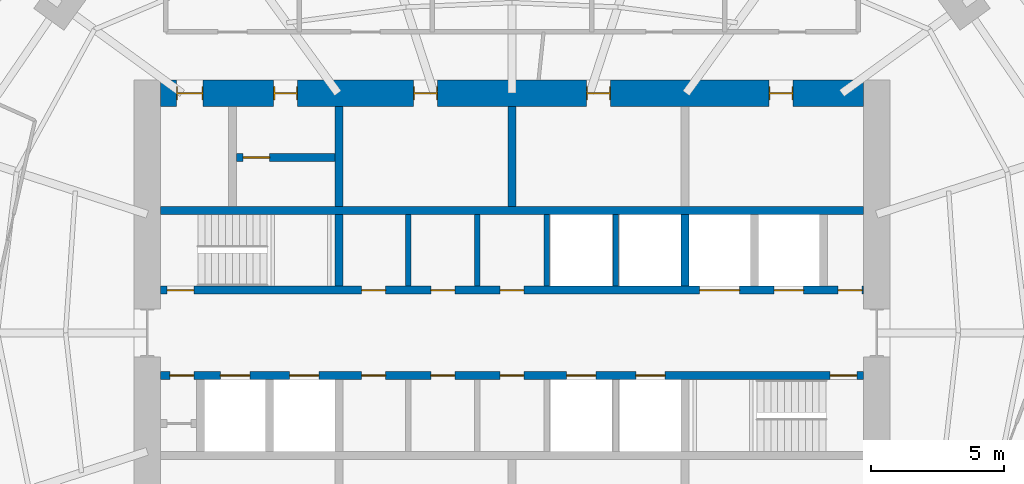
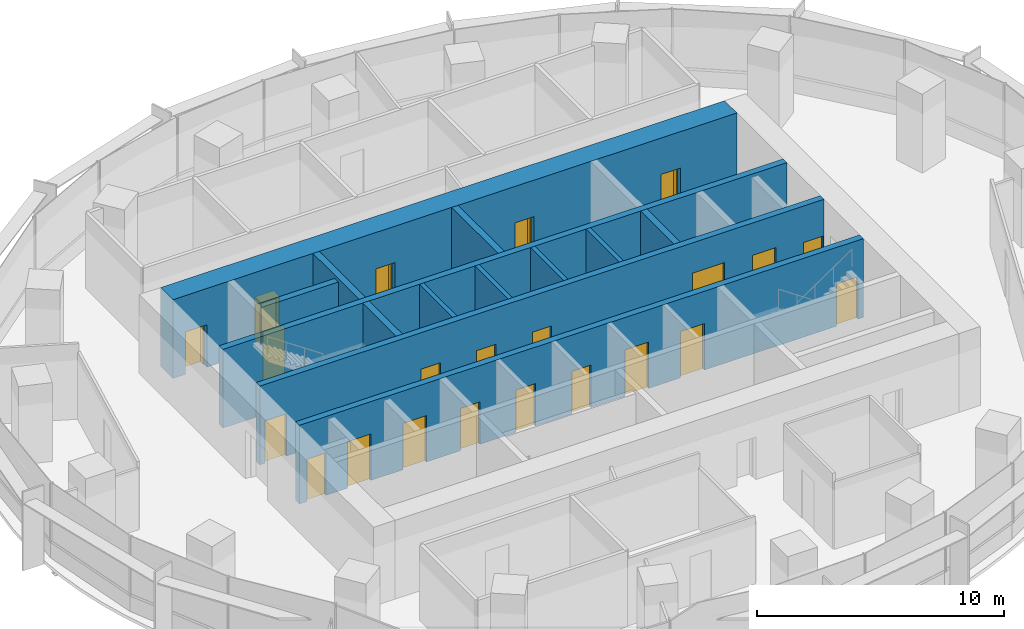
# One storey, part 11 of 14: 22 doors, 13 walls, 22 openings.
"""IFC4 building model written with IfcOpenShell, lengths in metres."""

from ifc_helpers import new_model, si_unit, direction, frame, frame_2d, origin, place, context, subcontext, project, spatial, rectangle, extrude, material, layer, layer_set, type_object, element, fill, save


model = new_model("IFC4")

# Units and contexts
model_context = context("Model", 3, precision=1e-05, world=origin(), true_north=direction((0.0, 1.0)))
body_context = subcontext(model_context, "Body", "Model", "MODEL_VIEW")
ifc_project = project(units=[si_unit("LENGTHUNIT", "METRE"), si_unit("AREAUNIT", "SQUARE_METRE"), si_unit("VOLUMEUNIT", "CUBIC_METRE"), si_unit("PLANEANGLEUNIT", "RADIAN"), si_unit("MASSUNIT", "GRAM", prefix="KILO")], contexts=[model_context])

# Site, building, storey
site_placement = place(None, origin())
site = spatial("IfcSite", under=ifc_project, at=site_placement, CompositionType="ELEMENT")
building_placement = place(site_placement, origin())
building = spatial("IfcBuilding", under=site, at=building_placement, Name="Marramba Exchange Tower", CompositionType="ELEMENT")
storey_placement = place(building_placement, frame((0.0, 0.0, 234.5)))
storey = spatial("IfcBuildingStorey", under=building, at=storey_placement, Name="L57", CompositionType="ELEMENT", Elevation=234.5)

# Walls
ifc_material_1 = material(Name="Concrete N50", Category="concrete")
ifc_layer_1 = layer(ifc_material_1, 0.199951171875)
ifc_layer_set_1 = layer_set([ifc_layer_1], Name="Core shaft wall 200")
wall_type_1 = type_object("IfcWallType", Name="Core shaft wall 200", PredefinedType="SHEAR", material=ifc_layer_set_1)
for number, where, z_axis, x_axis, name in (
    (1, (-3.89990234375, 1.75, 0.0), (0.0, 0.0, 1.0), (0.0, 1.0, 0.0), "Core wall SHN1 L57"),
    (2, (-1.300048828125, 1.75, 0.0), (0.0, 0.0, 1.0), (0.0, 1.0, 0.0), "Core wall SHN2 L57"),
    (3, (1.300048828125, 1.75, 0.0), (0.0, 0.0, 1.0), (0.0, 1.0, 0.0), "Core wall SHN3 L57"),
    (4, (3.89990234375, 1.75, 0.0), (0.0, 0.0, 1.0), (0.0, 1.0, 0.0), "Core wall SHN4 L57"),
):
    element("IfcWall", number, at=place(storey_placement, frame(where, z_axis=z_axis, x_axis=x_axis)), inside=storey, type_object=wall_type_1, Name=name, PredefinedType="SHEAR", context=body_context, shape_type="SweptSolid", body=[
        extrude(rectangle(XDim=2.699951171875, YDim=0.199951171875, at=frame_2d((1.35009765625, 0.0))), origin(), (0.0, 0.0, 1.0), 3.89990234375),
    ])

# Wall, openings, doors
ifc_layer_2 = layer(ifc_material_1, 1.0)
ifc_layer_set_2 = layer_set([ifc_layer_2], Name="Core wall 1000")
wall_type_2 = type_object("IfcWallType", Name="Core wall 1000", PredefinedType="SHEAR", material=ifc_layer_set_2)
wall_1_placement = place(storey_placement, frame((13.199951171875, 9.0, 0.0), z_axis=(0.0, 0.0, 1.0), x_axis=(-1.0, 0.0, 0.0)))
wall_1 = element("IfcWall", 5, at=wall_1_placement, inside=storey, type_object=wall_type_2, Name="Core wall N L57", PredefinedType="SHEAR", context=body_context, shape_type="SweptSolid", body=[
    extrude(rectangle(XDim=26.39990234375, YDim=1.0, at=frame_2d((13.199951171875, 0.0))), origin(), (0.0, 0.0, 1.0), 3.89990234375),
])
opening_1_placement = place(wall_1_placement, frame((2.64990234375, 0.0, 0.0)))
opening_1 = element("IfcOpeningElement", 6, at=opening_1_placement, cuts=wall_1, Name="Opening D5", PredefinedType="OPENING", context=body_context, shape_type="SweptSolid", body=[
    extrude(rectangle(XDim=0.89990234375, YDim=2.10009765625, at=frame_2d((0.449951171875, 1.050048828125))), frame((0.0, 0.510009765625, 0.0), z_axis=(0.0, -1.0, 0.0), x_axis=(1.0, 0.0, 0.0)), (0.0, 0.0, 1.0), 1.02001953125),
])
opening_2_placement = place(wall_1_placement, frame((9.5, 0.0, 0.0)))
opening_2 = element("IfcOpeningElement", 7, at=opening_2_placement, cuts=wall_1, Name="Opening D3", PredefinedType="OPENING", context=body_context, shape_type="SweptSolid", body=[
    extrude(rectangle(XDim=0.89990234375, YDim=2.10009765625, at=frame_2d((0.449951171875, 1.050048828125))), frame((0.0, 0.510009765625, 0.0), z_axis=(0.0, -1.0, 0.0), x_axis=(1.0, 0.0, 0.0)), (0.0, 0.0, 1.0), 1.02001953125),
])
opening_3_placement = place(wall_1_placement, frame((16.0, 0.0, 0.0)))
opening_3 = element("IfcOpeningElement", 8, at=opening_3_placement, cuts=wall_1, Name="Opening D3", PredefinedType="OPENING", context=body_context, shape_type="SweptSolid", body=[
    extrude(rectangle(XDim=0.89990234375, YDim=2.10009765625, at=frame_2d((0.449951171875, 1.050048828125))), frame((0.0, 0.510009765625, 0.0), z_axis=(0.0, -1.0, 0.0), x_axis=(1.0, 0.0, 0.0)), (0.0, 0.0, 1.0), 1.02001953125),
])
opening_4_placement = place(wall_1_placement, frame((21.25, 0.0, 0.0)))
opening_4 = element("IfcOpeningElement", 9, at=opening_4_placement, cuts=wall_1, Name="Opening D5", PredefinedType="OPENING", context=body_context, shape_type="SweptSolid", body=[
    extrude(rectangle(XDim=0.89990234375, YDim=2.10009765625, at=frame_2d((0.449951171875, 1.050048828125))), frame((0.0, 0.510009765625, 0.0), z_axis=(0.0, -1.0, 0.0), x_axis=(1.0, 0.0, 0.0)), (0.0, 0.0, 1.0), 1.02001953125),
])
opening_5_placement = place(wall_1_placement, frame((24.800048828125, 0.0, 0.0)))
opening_5 = element("IfcOpeningElement", 10, at=opening_5_placement, cuts=wall_1, Name="Opening D4", PredefinedType="OPENING", context=body_context, shape_type="SweptSolid", body=[
    extrude(rectangle(XDim=1.0, YDim=2.10009765625, at=frame_2d((0.5, 1.050048828125))), frame((0.0, 0.510009765625, 0.0), z_axis=(0.0, -1.0, 0.0), x_axis=(1.0, 0.0, 0.0)), (0.0, 0.0, 1.0), 1.02001953125),
])
ifc_material_2 = material(Name="Steel-framed door", Category="steel")
door_type_1 = type_object("IfcDoorType", Name="Accessible toilet door 1000x2100", OperationType="SINGLE_SWING_LEFT", PredefinedType="DOOR", material=ifc_material_2)
door_1_placement = place(opening_5_placement, origin())
door_1 = element("IfcDoor", 11, at=door_1_placement, inside=storey, type_object=door_type_1, Name="D4 awc L57", OperationType="SINGLE_SWING_RIGHT", OverallHeight=2.10009765625, OverallWidth=1.0, PredefinedType="DOOR", context=body_context, shape_type="SweptSolid", body=[
    extrude(rectangle(XDim=0.919921875, YDim=2.06005859375, at=frame_2d((0.5, 1.030029296875))), frame((0.0, 0.02490234375, 0.0), z_axis=(0.0, -1.0, 0.0), x_axis=(1.0, 0.0, 0.0)), (0.0, 0.0, 1.0), 0.050048828125),
    extrude(rectangle(XDim=0.04, YDim=2.10009765625, at=frame_2d((0.02001953125, 1.050048828125))), frame((0.0, 0.25, 0.0), z_axis=(0.0, -1.0, 0.0), x_axis=(1.0, 0.0, 0.0)), (0.0, 0.0, 1.0), 0.5),
    extrude(rectangle(XDim=0.04, YDim=2.10009765625, at=frame_2d((0.97998046875, 1.050048828125))), frame((0.0, 0.25, 0.0), z_axis=(0.0, -1.0, 0.0), x_axis=(1.0, 0.0, 0.0)), (0.0, 0.0, 1.0), 0.5),
    extrude(rectangle(XDim=0.919921875, YDim=0.04, at=frame_2d((0.5, 2.080078125))), frame((0.0, 0.25, 0.0), z_axis=(0.0, -1.0, 0.0), x_axis=(1.0, 0.0, 0.0)), (0.0, 0.0, 1.0), 0.5),
])
fill(opening_5, door_1)
door_type_2 = type_object("IfcDoorType", Name="Service door 900x2100", OperationType="SINGLE_SWING_LEFT", PredefinedType="DOOR", material=ifc_material_2)
door_2_placement = place(opening_1_placement, origin())
door_2 = element("IfcDoor", 12, at=door_2_placement, inside=storey, type_object=door_type_2, Name="D5 comms L57", OperationType="SINGLE_SWING_LEFT", OverallHeight=2.10009765625, OverallWidth=0.89990234375, PredefinedType="DOOR", context=body_context, shape_type="SweptSolid", body=[
    extrude(rectangle(XDim=0.81982421875, YDim=2.06005859375, at=frame_2d((0.449951171875, 1.030029296875))), frame((0.0, 0.02490234375, 0.0), z_axis=(0.0, -1.0, 0.0), x_axis=(1.0, 0.0, 0.0)), (0.0, 0.0, 1.0), 0.050048828125),
    extrude(rectangle(XDim=0.04, YDim=2.10009765625, at=frame_2d((0.02001953125, 1.050048828125))), frame((0.0, 0.25, 0.0), z_axis=(0.0, -1.0, 0.0), x_axis=(1.0, 0.0, 0.0)), (0.0, 0.0, 1.0), 0.5),
    extrude(rectangle(XDim=0.04, YDim=2.10009765625, at=frame_2d((0.8798828125, 1.050048828125))), frame((0.0, 0.25, 0.0), z_axis=(0.0, -1.0, 0.0), x_axis=(1.0, 0.0, 0.0)), (0.0, 0.0, 1.0), 0.5),
    extrude(rectangle(XDim=0.81982421875, YDim=0.04, at=frame_2d((0.449951171875, 2.080078125))), frame((0.0, 0.25, 0.0), z_axis=(0.0, -1.0, 0.0), x_axis=(1.0, 0.0, 0.0)), (0.0, 0.0, 1.0), 0.5),
])
fill(opening_1, door_2)
door_3_placement = place(opening_4_placement, origin())
door_3 = element("IfcDoor", 13, at=door_3_placement, inside=storey, type_object=door_type_2, Name="D5 cleaner L57", OperationType="SINGLE_SWING_RIGHT", OverallHeight=2.10009765625, OverallWidth=0.89990234375, PredefinedType="DOOR", context=body_context, shape_type="SweptSolid", body=[
    extrude(rectangle(XDim=0.81982421875, YDim=2.06005859375, at=frame_2d((0.449951171875, 1.030029296875))), frame((0.0, 0.02490234375, 0.0), z_axis=(0.0, -1.0, 0.0), x_axis=(1.0, 0.0, 0.0)), (0.0, 0.0, 1.0), 0.050048828125),
    extrude(rectangle(XDim=0.04, YDim=2.10009765625, at=frame_2d((0.02001953125, 1.050048828125))), frame((0.0, 0.25, 0.0), z_axis=(0.0, -1.0, 0.0), x_axis=(1.0, 0.0, 0.0)), (0.0, 0.0, 1.0), 0.5),
    extrude(rectangle(XDim=0.04, YDim=2.10009765625, at=frame_2d((0.8798828125, 1.050048828125))), frame((0.0, 0.25, 0.0), z_axis=(0.0, -1.0, 0.0), x_axis=(1.0, 0.0, 0.0)), (0.0, 0.0, 1.0), 0.5),
    extrude(rectangle(XDim=0.81982421875, YDim=0.04, at=frame_2d((0.449951171875, 2.080078125))), frame((0.0, 0.25, 0.0), z_axis=(0.0, -1.0, 0.0), x_axis=(1.0, 0.0, 0.0)), (0.0, 0.0, 1.0), 0.5),
])
fill(opening_4, door_3)
door_type_3 = type_object("IfcDoorType", Name="Toilet door 900x2100", OperationType="SINGLE_SWING_LEFT", PredefinedType="DOOR", material=ifc_material_2)
door_4_placement = place(opening_2_placement, origin())
door_4 = element("IfcDoor", 14, at=door_4_placement, inside=storey, type_object=door_type_3, Name="D3 wc-f L57", OperationType="SINGLE_SWING_RIGHT", OverallHeight=2.10009765625, OverallWidth=0.89990234375, PredefinedType="DOOR", context=body_context, shape_type="SweptSolid", body=[
    extrude(rectangle(XDim=0.81982421875, YDim=2.06005859375, at=frame_2d((0.449951171875, 1.030029296875))), frame((0.0, 0.02490234375, 0.0), z_axis=(0.0, -1.0, 0.0), x_axis=(1.0, 0.0, 0.0)), (0.0, 0.0, 1.0), 0.050048828125),
    extrude(rectangle(XDim=0.04, YDim=2.10009765625, at=frame_2d((0.02001953125, 1.050048828125))), frame((0.0, 0.25, 0.0), z_axis=(0.0, -1.0, 0.0), x_axis=(1.0, 0.0, 0.0)), (0.0, 0.0, 1.0), 0.5),
    extrude(rectangle(XDim=0.04, YDim=2.10009765625, at=frame_2d((0.8798828125, 1.050048828125))), frame((0.0, 0.25, 0.0), z_axis=(0.0, -1.0, 0.0), x_axis=(1.0, 0.0, 0.0)), (0.0, 0.0, 1.0), 0.5),
    extrude(rectangle(XDim=0.81982421875, YDim=0.04, at=frame_2d((0.449951171875, 2.080078125))), frame((0.0, 0.25, 0.0), z_axis=(0.0, -1.0, 0.0), x_axis=(1.0, 0.0, 0.0)), (0.0, 0.0, 1.0), 0.5),
])
fill(opening_2, door_4)
door_5_placement = place(opening_3_placement, origin())
door_5 = element("IfcDoor", 15, at=door_5_placement, inside=storey, type_object=door_type_3, Name="D3 wc-m L57", OperationType="SINGLE_SWING_RIGHT", OverallHeight=2.10009765625, OverallWidth=0.89990234375, PredefinedType="DOOR", context=body_context, shape_type="SweptSolid", body=[
    extrude(rectangle(XDim=0.81982421875, YDim=2.06005859375, at=frame_2d((0.449951171875, 1.030029296875))), frame((0.0, 0.02490234375, 0.0), z_axis=(0.0, -1.0, 0.0), x_axis=(1.0, 0.0, 0.0)), (0.0, 0.0, 1.0), 0.050048828125),
    extrude(rectangle(XDim=0.04, YDim=2.10009765625, at=frame_2d((0.02001953125, 1.050048828125))), frame((0.0, 0.25, 0.0), z_axis=(0.0, -1.0, 0.0), x_axis=(1.0, 0.0, 0.0)), (0.0, 0.0, 1.0), 0.5),
    extrude(rectangle(XDim=0.04, YDim=2.10009765625, at=frame_2d((0.8798828125, 1.050048828125))), frame((0.0, 0.25, 0.0), z_axis=(0.0, -1.0, 0.0), x_axis=(1.0, 0.0, 0.0)), (0.0, 0.0, 1.0), 0.5),
    extrude(rectangle(XDim=0.81982421875, YDim=0.04, at=frame_2d((0.449951171875, 2.080078125))), frame((0.0, 0.25, 0.0), z_axis=(0.0, -1.0, 0.0), x_axis=(1.0, 0.0, 0.0)), (0.0, 0.0, 1.0), 0.5),
])
fill(opening_3, door_5)

ifc_layer_3 = layer(ifc_material_1, 0.300048828125)
ifc_layer_set_3 = layer_set([ifc_layer_3], Name="Core wall 300")
wall_type_3 = type_object("IfcWallType", Name="Core wall 300", PredefinedType="SHEAR", material=ifc_layer_set_3)
wall_2_placement = place(storey_placement, frame((-13.199951171875, 1.60009765625, 0.0), z_axis=(0.0, 0.0, 1.0), x_axis=(1.0, 0.0, 0.0)))
wall_2 = element("IfcWall", 16, at=wall_2_placement, inside=storey, type_object=wall_type_3, Name="Core wall LN L57", PredefinedType="SHEAR", context=body_context, shape_type="SweptSolid", body=[
    extrude(rectangle(XDim=26.39990234375, YDim=0.300048828125, at=frame_2d((13.199951171875, 0.0))), origin(), (0.0, 0.0, 1.0), 3.89990234375),
])
opening_6_placement = place(wall_2_placement, frame((0.25, 0.0, 0.0)))
opening_6 = element("IfcOpeningElement", 17, at=opening_6_placement, cuts=wall_2, Name="Opening D2", PredefinedType="OPENING", context=body_context, shape_type="SweptSolid", body=[
    extrude(rectangle(XDim=1.0, YDim=2.10009765625, at=frame_2d((0.5, 1.050048828125))), frame((0.0, 0.159912109375, 0.0), z_axis=(0.0, -1.0, 0.0), x_axis=(1.0, 0.0, 0.0)), (0.0, 0.0, 1.0), 0.320068359375),
])
opening_7_placement = place(wall_2_placement, frame((23.050048828125, 0.0, 0.0)))
opening_7 = element("IfcOpeningElement", 18, at=opening_7_placement, cuts=wall_2, Name="Opening LD1", PredefinedType="OPENING", context=body_context, shape_type="SweptSolid", body=[
    extrude(rectangle(XDim=1.10009765625, YDim=2.300048828125, at=frame_2d((0.550048828125, 1.14990234375))), frame((0.0, 0.159912109375, 0.0), z_axis=(0.0, -1.0, 0.0), x_axis=(1.0, 0.0, 0.0)), (0.0, 0.0, 1.0), 0.320068359375),
])
opening_8_placement = place(wall_2_placement, frame((20.25, 0.0, 0.0)))
opening_8 = element("IfcOpeningElement", 19, at=opening_8_placement, cuts=wall_2, Name="Opening LD3", PredefinedType="OPENING", context=body_context, shape_type="SweptSolid", body=[
    extrude(rectangle(XDim=1.5, YDim=2.39990234375, at=frame_2d((0.75, 1.199951171875))), frame((0.0, 0.159912109375, 0.0), z_axis=(0.0, -1.0, 0.0), x_axis=(1.0, 0.0, 0.0)), (0.0, 0.0, 1.0), 0.320068359375),
])
opening_9_placement = place(wall_2_placement, frame((7.550048828125, 0.0, 0.0)))
opening_9 = element("IfcOpeningElement", 20, at=opening_9_placement, cuts=wall_2, Name="Opening D5", PredefinedType="OPENING", context=body_context, shape_type="SweptSolid", body=[
    extrude(rectangle(XDim=0.89990234375, YDim=2.10009765625, at=frame_2d((0.449951171875, 1.050048828125))), frame((0.0, 0.159912109375, 0.0), z_axis=(0.0, -1.0, 0.0), x_axis=(1.0, 0.0, 0.0)), (0.0, 0.0, 1.0), 0.320068359375),
])
opening_10_placement = place(wall_2_placement, frame((10.14990234375, 0.0, 0.0)))
opening_10 = element("IfcOpeningElement", 21, at=opening_10_placement, cuts=wall_2, Name="Opening D5", PredefinedType="OPENING", context=body_context, shape_type="SweptSolid", body=[
    extrude(rectangle(XDim=0.89990234375, YDim=2.10009765625, at=frame_2d((0.449951171875, 1.050048828125))), frame((0.0, 0.159912109375, 0.0), z_axis=(0.0, -1.0, 0.0), x_axis=(1.0, 0.0, 0.0)), (0.0, 0.0, 1.0), 0.320068359375),
])
opening_11_placement = place(wall_2_placement, frame((12.75, 0.0, 0.0)))
opening_11 = element("IfcOpeningElement", 22, at=opening_11_placement, cuts=wall_2, Name="Opening D5", PredefinedType="OPENING", context=body_context, shape_type="SweptSolid", body=[
    extrude(rectangle(XDim=0.89990234375, YDim=2.10009765625, at=frame_2d((0.449951171875, 1.050048828125))), frame((0.0, 0.159912109375, 0.0), z_axis=(0.0, -1.0, 0.0), x_axis=(1.0, 0.0, 0.0)), (0.0, 0.0, 1.0), 0.320068359375),
])
opening_12_placement = place(wall_2_placement, frame((25.449951171875, 0.0, 0.0)))
opening_12 = element("IfcOpeningElement", 23, at=opening_12_placement, cuts=wall_2, Name="Opening D5", PredefinedType="OPENING", context=body_context, shape_type="SweptSolid", body=[
    extrude(rectangle(XDim=0.89990234375, YDim=2.10009765625, at=frame_2d((0.449951171875, 1.050048828125))), frame((0.0, 0.159912109375, 0.0), z_axis=(0.0, -1.0, 0.0), x_axis=(1.0, 0.0, 0.0)), (0.0, 0.0, 1.0), 0.320068359375),
])
door_type_4 = type_object("IfcDoorType", Name="Goods lift landing door 1500x2400", OperationType="SLIDING_TO_LEFT", PredefinedType="DOOR", material=ifc_material_2)
door_6_placement = place(opening_8_placement, origin())
door_6 = element("IfcDoor", 24, at=door_6_placement, inside=storey, type_object=door_type_4, Name="GL1 landing door L57", OperationType="SLIDING_TO_LEFT", OverallHeight=2.39990234375, OverallWidth=1.5, PredefinedType="DOOR", context=body_context, shape_type="SweptSolid", body=[
    extrude(rectangle(XDim=1.5, YDim=2.39990234375, at=frame_2d((0.75, 1.199951171875))), frame((0.0, 0.02490234375, 0.0), z_axis=(0.0, -1.0, 0.0), x_axis=(1.0, 0.0, 0.0)), (0.0, 0.0, 1.0), 0.050048828125),
])
fill(opening_8, door_6)
door_type_5 = type_object("IfcDoorType", Name="Lift landing door 1100x2300", OperationType="SLIDING_TO_LEFT", PredefinedType="DOOR", material=ifc_material_2)
door_7_placement = place(opening_7_placement, origin())
door_7 = element("IfcDoor", 25, at=door_7_placement, inside=storey, type_object=door_type_5, Name="LC3 landing door L57", OperationType="SLIDING_TO_LEFT", OverallHeight=2.300048828125, OverallWidth=1.10009765625, PredefinedType="DOOR", context=body_context, shape_type="SweptSolid", body=[
    extrude(rectangle(XDim=1.10009765625, YDim=2.300048828125, at=frame_2d((0.550048828125, 1.14990234375))), frame((0.0, 0.02490234375, 0.0), z_axis=(0.0, -1.0, 0.0), x_axis=(1.0, 0.0, 0.0)), (0.0, 0.0, 1.0), 0.050048828125),
])
fill(opening_7, door_7)
door_8_placement = place(opening_9_placement, origin())
door_8 = element("IfcDoor", 26, at=door_8_placement, inside=storey, type_object=door_type_2, Name="D5 stationery store L57", OperationType="SINGLE_SWING_RIGHT", OverallHeight=2.10009765625, OverallWidth=0.89990234375, PredefinedType="DOOR", context=body_context, shape_type="SweptSolid", body=[
    extrude(rectangle(XDim=0.89990234375, YDim=2.10009765625, at=frame_2d((0.449951171875, 1.050048828125))), frame((0.0, 0.02490234375, 0.0), z_axis=(0.0, -1.0, 0.0), x_axis=(1.0, 0.0, 0.0)), (0.0, 0.0, 1.0), 0.050048828125),
])
fill(opening_9, door_8)
door_9_placement = place(opening_10_placement, origin())
door_9 = element("IfcDoor", 27, at=door_9_placement, inside=storey, type_object=door_type_2, Name="D5 switch room L57", OperationType="SINGLE_SWING_RIGHT", OverallHeight=2.10009765625, OverallWidth=0.89990234375, PredefinedType="DOOR", context=body_context, shape_type="SweptSolid", body=[
    extrude(rectangle(XDim=0.89990234375, YDim=2.10009765625, at=frame_2d((0.449951171875, 1.050048828125))), frame((0.0, 0.02490234375, 0.0), z_axis=(0.0, -1.0, 0.0), x_axis=(1.0, 0.0, 0.0)), (0.0, 0.0, 1.0), 0.050048828125),
])
fill(opening_10, door_9)
door_10_placement = place(opening_11_placement, origin())
door_10 = element("IfcDoor", 28, at=door_10_placement, inside=storey, type_object=door_type_2, Name="D5 cleaner store L57", OperationType="SINGLE_SWING_RIGHT", OverallHeight=2.10009765625, OverallWidth=0.89990234375, PredefinedType="DOOR", context=body_context, shape_type="SweptSolid", body=[
    extrude(rectangle(XDim=0.89990234375, YDim=2.10009765625, at=frame_2d((0.449951171875, 1.050048828125))), frame((0.0, 0.02490234375, 0.0), z_axis=(0.0, -1.0, 0.0), x_axis=(1.0, 0.0, 0.0)), (0.0, 0.0, 1.0), 0.050048828125),
])
fill(opening_11, door_10)
door_11_placement = place(opening_12_placement, origin())
door_11 = element("IfcDoor", 29, at=door_11_placement, inside=storey, type_object=door_type_2, Name="D5 riser L57", OperationType="SINGLE_SWING_RIGHT", OverallHeight=2.10009765625, OverallWidth=0.89990234375, PredefinedType="DOOR", context=body_context, shape_type="SweptSolid", body=[
    extrude(rectangle(XDim=0.89990234375, YDim=2.10009765625, at=frame_2d((0.449951171875, 1.050048828125))), frame((0.0, 0.02490234375, 0.0), z_axis=(0.0, -1.0, 0.0), x_axis=(1.0, 0.0, 0.0)), (0.0, 0.0, 1.0), 0.050048828125),
])
fill(opening_12, door_11)
door_type_6 = type_object("IfcDoorType", Name="Stair door 1000x2100", OperationType="SINGLE_SWING_LEFT", PredefinedType="DOOR", material=ifc_material_2)
door_12_placement = place(opening_6_placement, origin())
door_12 = element("IfcDoor", 30, at=door_12_placement, inside=storey, type_object=door_type_6, Name="D2 stair ST1 L57", OperationType="SINGLE_SWING_LEFT", OverallHeight=2.10009765625, OverallWidth=1.0, PredefinedType="DOOR", context=body_context, shape_type="SweptSolid", body=[
    extrude(rectangle(XDim=1.0, YDim=2.10009765625, at=frame_2d((0.5, 1.050048828125))), frame((0.0, 0.02490234375, 0.0), z_axis=(0.0, -1.0, 0.0), x_axis=(1.0, 0.0, 0.0)), (0.0, 0.0, 1.0), 0.050048828125),
])
fill(opening_6, door_12)

wall_3_placement = place(storey_placement, frame((-13.199951171875, -1.60009765625, 0.0), z_axis=(0.0, 0.0, 1.0), x_axis=(1.0, 0.0, 0.0)))
wall_3 = element("IfcWall", 31, at=wall_3_placement, inside=storey, type_object=wall_type_3, Name="Core wall LS L57", PredefinedType="SHEAR", context=body_context, shape_type="SweptSolid", body=[
    extrude(rectangle(XDim=26.39990234375, YDim=0.300048828125, at=frame_2d((13.199951171875, 0.0))), origin(), (0.0, 0.0, 1.0), 3.89990234375),
])
opening_13_placement = place(wall_3_placement, frame((25.14990234375, 0.0, 0.0)))
opening_13 = element("IfcOpeningElement", 32, at=opening_13_placement, cuts=wall_3, Name="Opening D2", PredefinedType="OPENING", context=body_context, shape_type="SweptSolid", body=[
    extrude(rectangle(XDim=1.0, YDim=2.10009765625, at=frame_2d((0.5, 1.050048828125))), frame((0.0, 0.159912109375, 0.0), z_axis=(0.0, -1.0, 0.0), x_axis=(1.0, 0.0, 0.0)), (0.0, 0.0, 1.0), 0.320068359375),
])
opening_14_placement = place(wall_3_placement, frame((7.550048828125, 0.0, 0.0)))
opening_14 = element("IfcOpeningElement", 33, at=opening_14_placement, cuts=wall_3, Name="Opening D5", PredefinedType="OPENING", context=body_context, shape_type="SweptSolid", body=[
    extrude(rectangle(XDim=0.89990234375, YDim=2.10009765625, at=frame_2d((0.449951171875, 1.050048828125))), frame((0.0, 0.159912109375, 0.0), z_axis=(0.0, -1.0, 0.0), x_axis=(1.0, 0.0, 0.0)), (0.0, 0.0, 1.0), 0.320068359375),
])
opening_15_placement = place(wall_3_placement, frame((10.14990234375, 0.0, 0.0)))
opening_15 = element("IfcOpeningElement", 34, at=opening_15_placement, cuts=wall_3, Name="Opening D5", PredefinedType="OPENING", context=body_context, shape_type="SweptSolid", body=[
    extrude(rectangle(XDim=0.89990234375, YDim=2.10009765625, at=frame_2d((0.449951171875, 1.050048828125))), frame((0.0, 0.159912109375, 0.0), z_axis=(0.0, -1.0, 0.0), x_axis=(1.0, 0.0, 0.0)), (0.0, 0.0, 1.0), 0.320068359375),
])
opening_16_placement = place(wall_3_placement, frame((12.75, 0.0, 0.0)))
opening_16 = element("IfcOpeningElement", 35, at=opening_16_placement, cuts=wall_3, Name="Opening D3", PredefinedType="OPENING", context=body_context, shape_type="SweptSolid", body=[
    extrude(rectangle(XDim=0.89990234375, YDim=2.10009765625, at=frame_2d((0.449951171875, 1.050048828125))), frame((0.0, 0.159912109375, 0.0), z_axis=(0.0, -1.0, 0.0), x_axis=(1.0, 0.0, 0.0)), (0.0, 0.0, 1.0), 0.320068359375),
])
opening_17_placement = place(wall_3_placement, frame((15.25, 0.0, 0.0)))
opening_17 = element("IfcOpeningElement", 36, at=opening_17_placement, cuts=wall_3, Name="Opening LD2", PredefinedType="OPENING", context=body_context, shape_type="SweptSolid", body=[
    extrude(rectangle(XDim=1.10009765625, YDim=2.300048828125, at=frame_2d((0.550048828125, 1.14990234375))), frame((0.0, 0.159912109375, 0.0), z_axis=(0.0, -1.0, 0.0), x_axis=(1.0, 0.0, 0.0)), (0.0, 0.0, 1.0), 0.320068359375),
])
opening_18_placement = place(wall_3_placement, frame((17.85009765625, 0.0, 0.0)))
opening_18 = element("IfcOpeningElement", 37, at=opening_18_placement, cuts=wall_3, Name="Opening LD2", PredefinedType="OPENING", context=body_context, shape_type="SweptSolid", body=[
    extrude(rectangle(XDim=1.10009765625, YDim=2.300048828125, at=frame_2d((0.550048828125, 1.14990234375))), frame((0.0, 0.159912109375, 0.0), z_axis=(0.0, -1.0, 0.0), x_axis=(1.0, 0.0, 0.0)), (0.0, 0.0, 1.0), 0.320068359375),
])
opening_19_placement = place(wall_3_placement, frame((4.85009765625, 0.0, 0.0)))
opening_19 = element("IfcOpeningElement", 38, at=opening_19_placement, cuts=wall_3, Name="Opening LD1", PredefinedType="OPENING", context=body_context, shape_type="SweptSolid", body=[
    extrude(rectangle(XDim=1.10009765625, YDim=2.300048828125, at=frame_2d((0.550048828125, 1.14990234375))), frame((0.0, 0.159912109375, 0.0), z_axis=(0.0, -1.0, 0.0), x_axis=(1.0, 0.0, 0.0)), (0.0, 0.0, 1.0), 0.320068359375),
])
opening_20_placement = place(wall_3_placement, frame((2.25, 0.0, 0.0)))
opening_20 = element("IfcOpeningElement", 39, at=opening_20_placement, cuts=wall_3, Name="Opening LD1", PredefinedType="OPENING", context=body_context, shape_type="SweptSolid", body=[
    extrude(rectangle(XDim=1.10009765625, YDim=2.300048828125, at=frame_2d((0.550048828125, 1.14990234375))), frame((0.0, 0.159912109375, 0.0), z_axis=(0.0, -1.0, 0.0), x_axis=(1.0, 0.0, 0.0)), (0.0, 0.0, 1.0), 0.320068359375),
])
opening_21_placement = place(wall_3_placement, frame((0.35009765625, 0.0, 0.0)))
opening_21 = element("IfcOpeningElement", 40, at=opening_21_placement, cuts=wall_3, Name="Opening D5", PredefinedType="OPENING", context=body_context, shape_type="SweptSolid", body=[
    extrude(rectangle(XDim=0.89990234375, YDim=2.10009765625, at=frame_2d((0.449951171875, 1.050048828125))), frame((0.0, 0.159912109375, 0.0), z_axis=(0.0, -1.0, 0.0), x_axis=(1.0, 0.0, 0.0)), (0.0, 0.0, 1.0), 0.320068359375),
])
door_type_7 = type_object("IfcDoorType", Name="Emergency lift landing door 1100x2300", OperationType="SLIDING_TO_LEFT", PredefinedType="DOOR", material=ifc_material_2)
door_13_placement = place(opening_17_placement, frame((1.10009765625, 0.0, 0.0), z_axis=(0.0, 0.0, 1.0), x_axis=(-1.0, 0.0, 0.0)))
door_13 = element("IfcDoor", 41, at=door_13_placement, inside=storey, type_object=door_type_7, Name="FL1 landing door L57", OperationType="SLIDING_TO_RIGHT", OverallHeight=2.300048828125, OverallWidth=1.10009765625, PredefinedType="DOOR", context=body_context, shape_type="SweptSolid", body=[
    extrude(rectangle(XDim=1.10009765625, YDim=2.300048828125, at=frame_2d((0.550048828125, 1.14990234375))), frame((0.0, 0.025146484375, 0.0), z_axis=(0.0, -1.0, 0.0), x_axis=(1.0, 0.0, 0.0)), (0.0, 0.0, 1.0), 0.050048828125),
])
fill(opening_17, door_13)
door_14_placement = place(opening_18_placement, frame((1.10009765625, 0.0, 0.0), z_axis=(0.0, 0.0, 1.0), x_axis=(-1.0, 0.0, 0.0)))
door_14 = element("IfcDoor", 42, at=door_14_placement, inside=storey, type_object=door_type_7, Name="FL2 landing door L57", OperationType="SLIDING_TO_LEFT", OverallHeight=2.300048828125, OverallWidth=1.10009765625, PredefinedType="DOOR", context=body_context, shape_type="SweptSolid", body=[
    extrude(rectangle(XDim=1.10009765625, YDim=2.300048828125, at=frame_2d((0.550048828125, 1.14990234375))), frame((0.0, 0.025146484375, 0.0), z_axis=(0.0, -1.0, 0.0), x_axis=(1.0, 0.0, 0.0)), (0.0, 0.0, 1.0), 0.050048828125),
])
fill(opening_18, door_14)
door_15_placement = place(opening_19_placement, frame((1.10009765625, 0.0, 0.0), z_axis=(0.0, 0.0, 1.0), x_axis=(-1.0, 0.0, 0.0)))
door_15 = element("IfcDoor", 43, at=door_15_placement, inside=storey, type_object=door_type_5, Name="LC1 landing door L57", OperationType="SLIDING_TO_LEFT", OverallHeight=2.300048828125, OverallWidth=1.10009765625, PredefinedType="DOOR", context=body_context, shape_type="SweptSolid", body=[
    extrude(rectangle(XDim=1.10009765625, YDim=2.300048828125, at=frame_2d((0.550048828125, 1.14990234375))), frame((0.0, 0.025146484375, 0.0), z_axis=(0.0, -1.0, 0.0), x_axis=(1.0, 0.0, 0.0)), (0.0, 0.0, 1.0), 0.050048828125),
])
fill(opening_19, door_15)
door_16_placement = place(opening_20_placement, frame((1.10009765625, 0.0, 0.0), z_axis=(0.0, 0.0, 1.0), x_axis=(-1.0, 0.0, 0.0)))
door_16 = element("IfcDoor", 44, at=door_16_placement, inside=storey, type_object=door_type_5, Name="LC2 landing door L57", OperationType="SLIDING_TO_LEFT", OverallHeight=2.300048828125, OverallWidth=1.10009765625, PredefinedType="DOOR", context=body_context, shape_type="SweptSolid", body=[
    extrude(rectangle(XDim=1.10009765625, YDim=2.300048828125, at=frame_2d((0.550048828125, 1.14990234375))), frame((0.0, 0.025146484375, 0.0), z_axis=(0.0, -1.0, 0.0), x_axis=(1.0, 0.0, 0.0)), (0.0, 0.0, 1.0), 0.050048828125),
])
fill(opening_20, door_16)
door_17_placement = place(opening_14_placement, frame((0.89990234375, 0.0, 0.0), z_axis=(0.0, 0.0, 1.0), x_axis=(-1.0, 0.0, 0.0)))
door_17 = element("IfcDoor", 45, at=door_17_placement, inside=storey, type_object=door_type_2, Name="D5 general store L57", OperationType="SINGLE_SWING_RIGHT", OverallHeight=2.10009765625, OverallWidth=0.89990234375, PredefinedType="DOOR", context=body_context, shape_type="SweptSolid", body=[
    extrude(rectangle(XDim=0.89990234375, YDim=2.10009765625, at=frame_2d((0.449951171875, 1.050048828125))), frame((0.0, 0.025146484375, 0.0), z_axis=(0.0, -1.0, 0.0), x_axis=(1.0, 0.0, 0.0)), (0.0, 0.0, 1.0), 0.050048828125),
])
fill(opening_14, door_17)
door_18_placement = place(opening_15_placement, frame((0.89990234375, 0.0, 0.0), z_axis=(0.0, 0.0, 1.0), x_axis=(-1.0, 0.0, 0.0)))
door_18 = element("IfcDoor", 46, at=door_18_placement, inside=storey, type_object=door_type_2, Name="D5 store n1 L57", OperationType="SINGLE_SWING_RIGHT", OverallHeight=2.10009765625, OverallWidth=0.89990234375, PredefinedType="DOOR", context=body_context, shape_type="SweptSolid", body=[
    extrude(rectangle(XDim=0.89990234375, YDim=2.10009765625, at=frame_2d((0.449951171875, 1.050048828125))), frame((0.0, 0.025146484375, 0.0), z_axis=(0.0, -1.0, 0.0), x_axis=(1.0, 0.0, 0.0)), (0.0, 0.0, 1.0), 0.050048828125),
])
fill(opening_15, door_18)
door_19_placement = place(opening_21_placement, frame((0.89990234375, 0.0, 0.0), z_axis=(0.0, 0.0, 1.0), x_axis=(-1.0, 0.0, 0.0)))
door_19 = element("IfcDoor", 47, at=door_19_placement, inside=storey, type_object=door_type_2, Name="D5 electrical riser L57", OperationType="SINGLE_SWING_LEFT", OverallHeight=2.10009765625, OverallWidth=0.89990234375, PredefinedType="DOOR", context=body_context, shape_type="SweptSolid", body=[
    extrude(rectangle(XDim=0.89990234375, YDim=2.10009765625, at=frame_2d((0.449951171875, 1.050048828125))), frame((0.0, 0.025146484375, 0.0), z_axis=(0.0, -1.0, 0.0), x_axis=(1.0, 0.0, 0.0)), (0.0, 0.0, 1.0), 0.050048828125),
])
fill(opening_21, door_19)
door_20_placement = place(opening_13_placement, frame((1.0, 0.0, 0.0), z_axis=(0.0, 0.0, 1.0), x_axis=(-1.0, 0.0, 0.0)))
door_20 = element("IfcDoor", 48, at=door_20_placement, inside=storey, type_object=door_type_6, Name="D2 stair ST2 L57", OperationType="SINGLE_SWING_LEFT", OverallHeight=2.10009765625, OverallWidth=1.0, PredefinedType="DOOR", context=body_context, shape_type="SweptSolid", body=[
    extrude(rectangle(XDim=1.0, YDim=2.10009765625, at=frame_2d((0.5, 1.050048828125))), frame((0.0, 0.025146484375, 0.0), z_axis=(0.0, -1.0, 0.0), x_axis=(1.0, 0.0, 0.0)), (0.0, 0.0, 1.0), 0.050048828125),
])
fill(opening_13, door_20)
door_21_placement = place(opening_16_placement, frame((0.89990234375, 0.0, 0.0), z_axis=(0.0, 0.0, 1.0), x_axis=(-1.0, 0.0, 0.0)))
door_21 = element("IfcDoor", 49, at=door_21_placement, inside=storey, type_object=door_type_3, Name="D3 staff wc n2 L57", OperationType="SINGLE_SWING_RIGHT", OverallHeight=2.10009765625, OverallWidth=0.89990234375, PredefinedType="DOOR", context=body_context, shape_type="SweptSolid", body=[
    extrude(rectangle(XDim=0.89990234375, YDim=2.10009765625, at=frame_2d((0.449951171875, 1.050048828125))), frame((0.0, 0.025146484375, 0.0), z_axis=(0.0, -1.0, 0.0), x_axis=(1.0, 0.0, 0.0)), (0.0, 0.0, 1.0), 0.050048828125),
])
fill(opening_16, door_21)

# Walls
wall_4_placement = place(storey_placement, frame((-13.199951171875, 4.60009765625, 0.0), z_axis=(0.0, 0.0, 1.0), x_axis=(1.0, 0.0, 0.0)))
element("IfcWall", 50, at=wall_4_placement, inside=storey, type_object=wall_type_3, Name="Core wall BN L57", PredefinedType="SHEAR", context=body_context, shape_type="SweptSolid", body=[
    extrude(rectangle(XDim=26.39990234375, YDim=0.300048828125, at=frame_2d((13.199951171875, 0.0))), origin(), (0.0, 0.0, 1.0), 3.89990234375),
])
wall_5_placement = place(storey_placement, frame((-6.5, 1.75, 0.0), z_axis=(0.0, 0.0, 1.0), x_axis=(0.0, 1.0, 0.0)))
element("IfcWall", 51, at=wall_5_placement, inside=storey, type_object=wall_type_3, Name="Core wall X0Na L57", PredefinedType="SHEAR", context=body_context, shape_type="SweptSolid", body=[
    extrude(rectangle(XDim=2.699951171875, YDim=0.300048828125, at=frame_2d((1.35009765625, 0.0))), origin(), (0.0, 0.0, 1.0), 3.89990234375),
])
wall_6_placement = place(storey_placement, frame((-6.5, 4.75, 0.0), z_axis=(0.0, 0.0, 1.0), x_axis=(0.0, 1.0, 0.0)))
element("IfcWall", 52, at=wall_6_placement, inside=storey, type_object=wall_type_3, Name="Core wall X0Nb L57", PredefinedType="SHEAR", context=body_context, shape_type="SweptSolid", body=[
    extrude(rectangle(XDim=3.75, YDim=0.300048828125, at=frame_2d((1.875, 0.0))), origin(), (0.0, 0.0, 1.0), 3.89990234375),
])
wall_7_placement = place(storey_placement, frame((6.5, 1.75, 0.0), z_axis=(0.0, 0.0, 1.0), x_axis=(0.0, 1.0, 0.0)))
element("IfcWall", 53, at=wall_7_placement, inside=storey, type_object=wall_type_3, Name="Core wall X1Na L57", PredefinedType="SHEAR", context=body_context, shape_type="SweptSolid", body=[
    extrude(rectangle(XDim=2.699951171875, YDim=0.300048828125, at=frame_2d((1.35009765625, 0.0))), origin(), (0.0, 0.0, 1.0), 3.89990234375),
])
wall_8_placement = place(storey_placement, frame((0.0, 4.75, 0.0), z_axis=(0.0, 0.0, 1.0), x_axis=(0.0, 1.0, 0.0)))
element("IfcWall", 54, at=wall_8_placement, inside=storey, type_object=wall_type_3, Name="Core wall MN L57", PredefinedType="SHEAR", context=body_context, shape_type="SweptSolid", body=[
    extrude(rectangle(XDim=3.75, YDim=0.300048828125, at=frame_2d((1.875, 0.0))), origin(), (0.0, 0.0, 1.0), 3.89990234375),
])

# Wall, opening, door
ifc_material_3 = material(Name="Plasterboard on steel studs, insulated, unrated", Category="steel")
ifc_layer_4 = layer(ifc_material_3, 0.300048828125)
ifc_layer_set_4 = layer_set([ifc_layer_4], Name="Store partition 300")
wall_type_4 = type_object("IfcWallType", Name="Store partition 300", PredefinedType="PARTITIONING", material=ifc_layer_set_4)
wall_9_placement = place(storey_placement, frame((-10.35009765625, 6.580078125, 0.0), z_axis=(0.0, 0.0, 1.0), x_axis=(1.0, 0.0, 0.0)))
wall_9 = element("IfcWall", 55, at=wall_9_placement, inside=storey, type_object=wall_type_4, Name="Store partition L57 cleaner", PredefinedType="PARTITIONING", context=body_context, shape_type="SweptSolid", body=[
    extrude(rectangle(XDim=3.7001953125, YDim=0.300048828125, at=frame_2d((1.85009765625, 0.0))), origin(), (0.0, 0.0, 1.0), 3.739990234375),
])
opening_22_placement = place(wall_9_placement, frame((0.25, 0.0, 0.0)))
opening_22 = element("IfcOpeningElement", 56, at=opening_22_placement, cuts=wall_9, Name="Opening D9", PredefinedType="OPENING", context=body_context, shape_type="SweptSolid", body=[
    extrude(rectangle(XDim=1.0, YDim=2.39990234375, at=frame_2d((0.5, 1.199951171875))), frame((0.0, 0.159912109375, 0.0), z_axis=(0.0, -1.0, 0.0), x_axis=(1.0, 0.0, 0.0)), (0.0, 0.0, 1.0), 0.320068359375),
])
ifc_material_4 = material(Name="Timber door", Category="wood")
door_type_8 = type_object("IfcDoorType", Name="Room door 1000x2400", OperationType="SINGLE_SWING_LEFT", PredefinedType="DOOR", material=ifc_material_4)
door_22_placement = place(opening_22_placement, frame((1.0, 0.0, 0.0), z_axis=(0.0, 0.0, 1.0), x_axis=(-1.0, 0.0, 0.0)))
door_22 = element("IfcDoor", 57, at=door_22_placement, inside=storey, type_object=door_type_8, Name="D9 cleaning store L57", OperationType="SINGLE_SWING_RIGHT", OverallHeight=2.39990234375, OverallWidth=1.0, PredefinedType="DOOR", context=body_context, shape_type="SweptSolid", body=[
    extrude(rectangle(XDim=1.0, YDim=2.39990234375, at=frame_2d((0.5, 1.199951171875))), frame((0.0, 0.025146484375, 0.0), z_axis=(0.0, -1.0, 0.0), x_axis=(1.0, 0.0, 0.0)), (0.0, 0.0, 1.0), 0.050048828125),
])
fill(opening_22, door_22)

save(model, "model.ifc")
